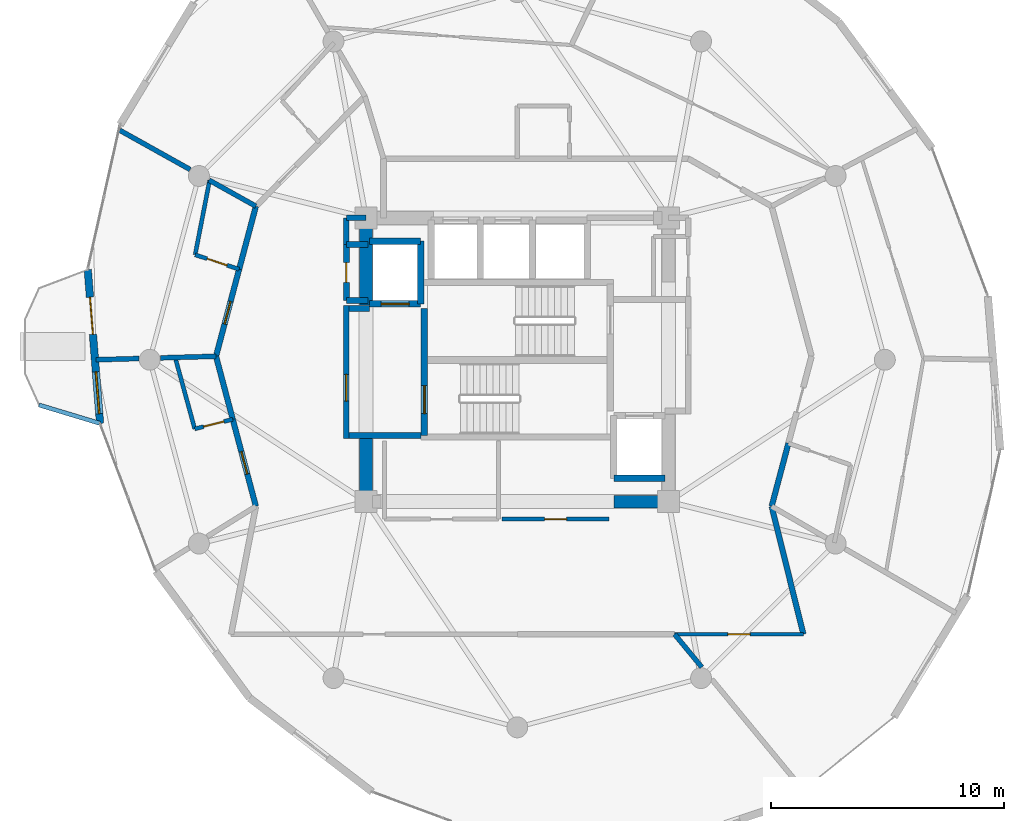
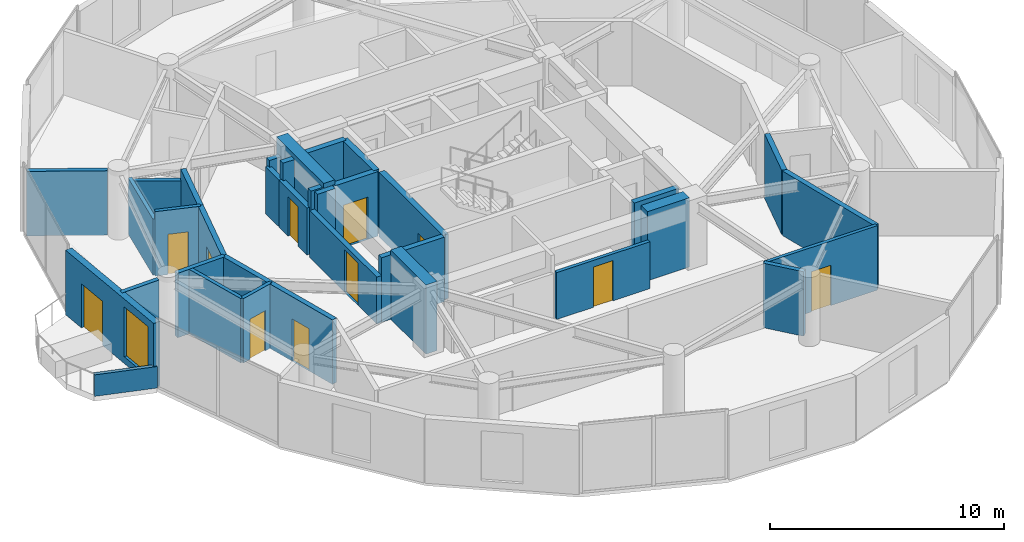
# One storey, part 16 of 20: 35 walls, 11 doors, 1 window, 12 openings.
"""IFC4 building model written with IfcOpenShell, lengths in metres."""

from ifc_helpers import new_model, si_unit, direction, frame, frame_2d, origin, place, context, subcontext, project, spatial, rectangle, extrude, material, layer, layer_set, type_object, element, fill, save


model = new_model("IFC4")

# Units and contexts
model_context = context("Model", 3, precision=1e-05, world=origin(), true_north=direction((0.0, 1.0)))
body_context = subcontext(model_context, "Body", "Model", "MODEL_VIEW")
ifc_project = project(units=[si_unit("LENGTHUNIT", "METRE"), si_unit("AREAUNIT", "SQUARE_METRE"), si_unit("VOLUMEUNIT", "CUBIC_METRE"), si_unit("PLANEANGLEUNIT", "RADIAN"), si_unit("MASSUNIT", "GRAM", prefix="KILO")], contexts=[model_context])

# Site, building, storey
site_placement = place(None, origin())
site = spatial("IfcSite", under=ifc_project, at=site_placement, CompositionType="ELEMENT")
building_placement = place(site_placement, origin())
building = spatial("IfcBuilding", under=site, at=building_placement, Name="Solvirekh Grand Hotel", CompositionType="ELEMENT")
storey_placement = place(building_placement, frame((0.0, 0.0, 194.800048828125)))
storey = spatial("IfcBuildingStorey", under=building, at=storey_placement, Name="L50", CompositionType="ELEMENT", Elevation=194.800048828125)

# Wall, opening, door
ifc_material_1 = material(Name="Concrete C40/50", Category="concrete")
ifc_layer_1 = layer(ifc_material_1, 0.280029296875)
ifc_layer_set_1 = layer_set([ifc_layer_1], Name="Concrete C40/50")
wall_type_1 = type_object("IfcWallType", Name="CoreShaftWall_RC280", PredefinedType="SOLIDWALL", material=ifc_layer_set_1)
wall_1_placement = place(storey_placement, frame((-6.35009765625, 2.39990234375, 0.0), z_axis=(0.0, 0.0, 1.0), x_axis=(1.0, 0.0, 0.0)))
wall_1 = element("IfcWall", 1, at=wall_1_placement, inside=storey, type_object=wall_type_1, Name="L50 FL-1 hoistway S wall", PredefinedType="SOLIDWALL", context=body_context, shape_type="SweptSolid", body=[
    extrude(rectangle(XDim=2.2001953125, YDim=0.280029296875, at=frame_2d((1.10009765625, 0.0))), origin(), (0.0, 0.0, 1.0), 3.35986328125),
])
opening_1_placement = place(wall_1_placement, frame((0.5, 0.0, 0.0)))
opening_1 = element("IfcOpeningElement", 2, at=opening_1_placement, cuts=wall_1, Name="Opening LD02", PredefinedType="OPENING", context=body_context, shape_type="SweptSolid", body=[
    extrude(rectangle(XDim=1.199951171875, YDim=2.199951171875, at=frame_2d((0.60009765625, 1.10009765625))), frame((0.0, 0.14990234375, 0.0), z_axis=(0.0, -1.0, 0.0), x_axis=(1.0, 0.0, 0.0)), (0.0, 0.0, 1.0), 0.300048828125),
])
ifc_material_2 = material(Name="Fire-Rated Steel Door Assembly", Category="steel")
door_type_1 = type_object("IfcDoorType", Name="Door_LiftFF_1200X2200", OperationType="SLIDING_TO_LEFT", PredefinedType="DOOR", material=ifc_material_2)
door_1_placement = place(opening_1_placement, origin())
door_1 = element("IfcDoor", 3, at=door_1_placement, inside=storey, type_object=door_type_1, Name="L50 FL-1 sliding lift landing door", OperationType="SLIDING_TO_LEFT", OverallHeight=2.199951171875, OverallWidth=1.199951171875, PredefinedType="DOOR", context=body_context, shape_type="SweptSolid", body=[
    extrude(rectangle(XDim=1.199951171875, YDim=2.199951171875, at=frame_2d((0.60009765625, 1.10009765625))), frame((0.0, 0.02490234375, 0.0), z_axis=(0.0, -1.0, 0.0), x_axis=(1.0, 0.0, 0.0)), (0.0, 0.0, 1.0), 0.050048828125),
])
fill(opening_1, door_1)

# Walls
wall_2_placement = place(storey_placement, frame((-4.14990234375, 5.10009765625, 0.0), z_axis=(0.0, 0.0, 1.0), x_axis=(-1.0, 0.0, 0.0)))
element("IfcWall", 4, at=wall_2_placement, inside=storey, type_object=wall_type_1, Name="L50 FL-1 hoistway N wall", PredefinedType="SOLIDWALL", context=body_context, shape_type="SweptSolid", body=[
    extrude(rectangle(XDim=2.2001953125, YDim=0.280029296875, at=frame_2d((1.10009765625, 0.0))), origin(), (0.0, 0.0, 1.0), 3.35986328125),
])
wall_3_placement = place(storey_placement, frame((-4.14990234375, 2.39990234375, 0.0), z_axis=(0.0, 0.0, 1.0), x_axis=(0.0, 1.0, 0.0)))
element("IfcWall", 5, at=wall_3_placement, inside=storey, type_object=wall_type_1, Name="L50 FL-1 hoistway E wall", PredefinedType="SOLIDWALL", context=body_context, shape_type="SweptSolid", body=[
    extrude(rectangle(XDim=2.7001953125, YDim=0.280029296875, at=frame_2d((1.35009765625, 0.0))), origin(), (0.0, 0.0, 1.0), 3.35986328125),
])
wall_4_placement = place(storey_placement, frame((4.14990234375, -5.10009765625, 0.0), z_axis=(0.0, 0.0, 1.0), x_axis=(1.0, 0.0, 0.0)))
element("IfcWall", 6, at=wall_4_placement, inside=storey, type_object=wall_type_1, Name="L50 FL-2 hoistway S wall", PredefinedType="SOLIDWALL", context=body_context, shape_type="SweptSolid", body=[
    extrude(rectangle(XDim=2.2001953125, YDim=0.280029296875, at=frame_2d((1.10009765625, 0.0))), origin(), (0.0, 0.0, 1.0), 3.35986328125),
])

# Wall, opening, door
wall_5_placement = place(storey_placement, frame((-3.989990234375, -3.25, 0.0), z_axis=(0.0, 0.0, 1.0), x_axis=(0.0, 1.0, 0.0)))
wall_5 = element("IfcWall", 7, at=wall_5_placement, inside=storey, type_object=wall_type_1, Name="L50 west stair landing enclosure wall", PredefinedType="SOLIDWALL", context=body_context, shape_type="SweptSolid", body=[
    extrude(rectangle(XDim=5.4599609375, YDim=0.280029296875, at=frame_2d((2.72998046875, 0.0))), origin(), (0.0, 0.0, 1.0), 3.35986328125),
])
opening_2_placement = place(wall_5_placement, frame((0.93701171875, 0.0, 0.0)))
opening_2 = element("IfcOpeningElement", 8, at=opening_2_placement, cuts=wall_5, Name="Opening D05", PredefinedType="OPENING", context=body_context, shape_type="SweptSolid", body=[
    extrude(rectangle(XDim=1.199951171875, YDim=2.199951171875, at=frame_2d((0.60009765625, 1.10009765625))), frame((0.0, 0.14990234375, 0.0), z_axis=(0.0, -1.0, 0.0), x_axis=(1.0, 0.0, 0.0)), (0.0, 0.0, 1.0), 0.300048828125),
])
door_type_2 = type_object("IfcDoorType", Name="Door_StairCore_1200X2200", OperationType="NOTDEFINED", PredefinedType="DOOR", material=ifc_material_2)
door_2_placement = place(opening_2_placement, origin())
door_2 = element("IfcDoor", 9, at=door_2_placement, inside=storey, type_object=door_type_2, Name="L50 exit stair ST-1 fire door", OperationType="SINGLE_SWING_RIGHT", OverallHeight=2.199951171875, OverallWidth=1.199951171875, PredefinedType="DOOR", context=body_context, shape_type="SweptSolid", body=[
    extrude(rectangle(XDim=1.199951171875, YDim=2.199951171875, at=frame_2d((0.60009765625, 1.10009765625))), frame((0.0, 0.02490234375, 0.0), z_axis=(0.0, -1.0, 0.0), x_axis=(1.0, 0.0, 0.0)), (0.0, 0.0, 1.0), 0.050048828125),
])
fill(opening_2, door_2)

# Walls
ifc_material_3 = material(Name="Concrete C50/60", Category="concrete")
ifc_layer_2 = layer(ifc_material_3, 0.550048828125)
ifc_layer_set_2 = layer_set([ifc_layer_2], Name="Concrete C50/60")
wall_type_2 = type_object("IfcWallType", Name="CoreWall_RC550", PredefinedType="SHEAR", material=ifc_layer_set_2)
wall_6_placement = place(storey_placement, frame((4.14990234375, -6.10009765625, 0.0), z_axis=(0.0, 0.0, 1.0), x_axis=(1.0, 0.0, 0.0)))
element("IfcWall", 10, at=wall_6_placement, inside=storey, type_object=wall_type_2, Name="L50 core corner shear wall SE-S", PredefinedType="SHEAR", context=body_context, shape_type="SweptSolid", body=[
    extrude(rectangle(XDim=2.0751953125, YDim=0.550048828125, at=frame_2d((1.03759765625, 0.0))), origin(), (0.0, 0.0, 1.0), 3.599853515625),
])
wall_7_placement = place(storey_placement, frame((-6.5, 2.35009765625, 0.0), z_axis=(0.0, 0.0, 1.0), x_axis=(0.0, 1.0, 0.0)))
element("IfcWall", 11, at=wall_7_placement, inside=storey, type_object=wall_type_2, Name="L50 core corner shear wall WN-W", PredefinedType="SHEAR", context=body_context, shape_type="SweptSolid", body=[
    extrude(rectangle(XDim=4.02490234375, YDim=0.550048828125, at=frame_2d((2.012451171875, 0.0))), origin(), (0.0, 0.0, 1.0), 3.599853515625),
])
wall_8_placement = place(storey_placement, frame((-6.5, -6.375, 0.0), z_axis=(0.0, 0.0, 1.0), x_axis=(0.0, 1.0, 0.0)))
element("IfcWall", 12, at=wall_8_placement, inside=storey, type_object=wall_type_2, Name="L50 core corner shear wall WS-W", PredefinedType="SHEAR", context=body_context, shape_type="SweptSolid", body=[
    extrude(rectangle(XDim=3.02490234375, YDim=0.550048828125, at=frame_2d((1.512451171875, 0.0))), origin(), (0.0, 0.0, 1.0), 3.599853515625),
])

# Wall, openings, door, window
ifc_material_4 = material(Name="Precast concrete C45/55", Category="concrete")
ifc_layer_3 = layer(ifc_material_4, 0.320068359375)
ifc_layer_set_3 = layer_set([ifc_layer_3], Name="Precast concrete C45/55")
wall_type_3 = type_object("IfcWallType", Name="ExtLobbyWall_RC320", PredefinedType="SOLIDWALL", material=ifc_layer_set_3)
wall_9_placement = place(storey_placement, frame((-17.93408203125, -2.736083984375, 0.0), z_axis=(0.0, 0.0, 1.0), x_axis=(-0.079675045139, 0.996820890222, 0.0)))
wall_9 = element("IfcWall", 13, at=wall_9_placement, inside=storey, type_object=wall_type_3, Name="L50 exterior structural wall chord 14", PredefinedType="SOLIDWALL", context=body_context, shape_type="SweptSolid", body=[
    extrude(rectangle(XDim=6.636962890625, YDim=0.320068359375, at=frame_2d((3.318359375, 0.0))), origin(), (0.0, 0.0, 1.0), 3.35986328125),
])
opening_3_placement = place(wall_9_placement, frame((0.4208984375, 0.0, 0.35009765625)))
opening_3 = element("IfcOpeningElement", 14, at=opening_3_placement, cuts=wall_9, Name="Opening W02", PredefinedType="OPENING", context=body_context, shape_type="SweptSolid", body=[
    extrude(rectangle(XDim=1.800048828125, YDim=2.60009765625, at=frame_2d((0.89990234375, 1.300048828125))), frame((0.0, 0.169921875, 0.0), z_axis=(0.0, -1.0, 0.0), x_axis=(1.0, 0.0, 0.0)), (0.0, 0.0, 1.0), 0.340087890625),
])
opening_4_placement = place(wall_9_placement, frame((3.839111328125, 0.0, 0.0)))
opening_4 = element("IfcOpeningElement", 15, at=opening_4_placement, cuts=wall_9, Name="Opening D04", PredefinedType="OPENING", context=body_context, shape_type="SweptSolid", body=[
    extrude(rectangle(XDim=1.60009765625, YDim=2.300048828125, at=frame_2d((0.800048828125, 1.14990234375))), frame((0.0, 0.169921875, 0.0), z_axis=(0.0, -1.0, 0.0), x_axis=(1.0, 0.0, 0.0)), (0.0, 0.0, 1.0), 0.340087890625),
])
ifc_material_5 = material(Name="Anodized Bronze Aluminium 6063-T6", Category="aluminium")
door_type_3 = type_object("IfcDoorType", Name="Door_ExtTerrace_1600X2300", OperationType="NOTDEFINED", PredefinedType="DOOR", material=ifc_material_5)
door_3_placement = place(opening_4_placement, origin())
door_3 = element("IfcDoor", 16, at=door_3_placement, inside=storey, type_object=door_type_3, Name="L50 West horn sky-garden terrace door (14)", OperationType="SINGLE_SWING_RIGHT", OverallHeight=2.300048828125, OverallWidth=1.60009765625, PredefinedType="DOOR", context=body_context, shape_type="SweptSolid", body=[
    extrude(rectangle(XDim=1.60009765625, YDim=2.300048828125, at=frame_2d((0.800048828125, 1.14990234375))), frame((0.0, 0.02490234375, 0.0), z_axis=(0.0, -1.0, 0.0), x_axis=(1.0, 0.0, 0.0)), (0.0, 0.0, 1.0), 0.050048828125),
])
fill(opening_4, door_3)
ifc_material_6 = material(Name="Low-E Tinted Bronze Laminated Glass", Category="aluminium")
window_type = type_object("IfcWindowType", Name="Win_LobbyExt_1800X2600", PartitioningType="SINGLE_PANEL", PredefinedType="WINDOW", material=ifc_material_6)
window_placement = place(opening_3_placement, origin())
window = element("IfcWindow", 17, at=window_placement, inside=storey, type_object=window_type, Name="L50 exterior side window 14", OverallHeight=2.60009765625, OverallWidth=1.800048828125, PartitioningType="SINGLE_PANEL", PredefinedType="WINDOW", context=body_context, shape_type="SweptSolid", body=[
    extrude(rectangle(XDim=1.800048828125, YDim=2.60009765625, at=frame_2d((0.89990234375, 1.300048828125))), frame((0.0, 0.030029296875, 0.0), z_axis=(0.0, -1.0, 0.0), x_axis=(1.0, 0.0, 0.0)), (0.0, 0.0, 1.0), 0.06005859375),
])
fill(opening_3, window)

# Wall
ifc_layer_4 = layer(ifc_material_4, 0.179931640625)
ifc_layer_set_4 = layer_set([ifc_layer_4], Name="Precast concrete C45/55")
wall_type_4 = type_object("IfcWallType", Name="ExtPlanterWall_180", PredefinedType="PARAPET", material=ifc_layer_set_4)
wall_10_placement = place(storey_placement, frame((-20.56298828125, -1.94189453125, 0.0), z_axis=(0.0, 0.0, 1.0), x_axis=(0.957271539456, -0.289190594154, 0.0)))
element("IfcWall", 18, at=wall_10_placement, inside=storey, type_object=wall_type_4, Name="L50 horn sky-garden planter parapet", PredefinedType="PARAPET", context=body_context, shape_type="SweptSolid", body=[
    extrude(rectangle(XDim=2.746337890625, YDim=0.179931640625, at=frame_2d((1.373046875, 0.0))), origin(), (0.0, 0.0, 1.0), 1.119873046875),
])

# Wall, opening, door
ifc_material_7 = material(Name="Acoustic Gypsum Partition Assembly")
ifc_layer_5 = layer(ifc_material_7, 0.1650390625)
ifc_layer_set_5 = layer_set([ifc_layer_5], Name="Acoustic Gypsum Partition Assembly")
wall_type_5 = type_object("IfcWallType", Name="Part_BOH_165", PredefinedType="PARTITIONING", material=ifc_layer_set_5)
wall_11_placement = place(storey_placement, frame((-0.64990234375, -6.85009765625, 0.0), z_axis=(0.0, 0.0, 1.0), x_axis=(1.0, 0.0, 0.0)))
wall_11 = element("IfcWall", 19, at=wall_11_placement, inside=storey, type_object=wall_type_5, Name="L50 Butler Valet Steward Room wall 1", PredefinedType="PARTITIONING", context=body_context, shape_type="SweptSolid", body=[
    extrude(rectangle(XDim=4.599853515625, YDim=0.1650390625, at=frame_2d((2.2998046875, 0.0))), origin(), (0.0, 0.0, 1.0), 2.445068359375),
])
opening_5_placement = place(wall_11_placement, frame((1.824951171875, 0.0, 0.0)))
opening_5 = element("IfcOpeningElement", 20, at=opening_5_placement, cuts=wall_11, Name="Opening D10", PredefinedType="OPENING", context=body_context, shape_type="SweptSolid", body=[
    extrude(rectangle(XDim=0.949951171875, YDim=2.10009765625, at=frame_2d((0.47509765625, 1.050048828125))), frame((0.0, 0.092529296875, 0.0), z_axis=(0.0, -1.0, 0.0), x_axis=(1.0, 0.0, 0.0)), (0.0, 0.0, 1.0), 0.18505859375),
])
door_type_4 = type_object("IfcDoorType", Name="Door_RoomInt_950X2100", OperationType="NOTDEFINED", PredefinedType="DOOR", material=ifc_material_5)
door_4_placement = place(opening_5_placement, origin())
door_4 = element("IfcDoor", 21, at=door_4_placement, inside=storey, type_object=door_type_4, Name="L50 Butler Valet Steward Room door", OperationType="SINGLE_SWING_LEFT", OverallHeight=2.10009765625, OverallWidth=0.949951171875, PredefinedType="DOOR", context=body_context, shape_type="SweptSolid", body=[
    extrude(rectangle(XDim=0.949951171875, YDim=2.10009765625, at=frame_2d((0.47509765625, 1.050048828125))), frame((0.0, 0.02490234375, 0.0), z_axis=(0.0, -1.0, 0.0), x_axis=(1.0, 0.0, 0.0)), (0.0, 0.0, 1.0), 0.050048828125),
])
fill(opening_5, door_4)

wall_12_placement = place(storey_placement, frame((6.764892578125, -11.800048828125, 0.0), z_axis=(0.0, 0.0, 1.0), x_axis=(1.0, 0.0, 0.0)))
wall_12 = element("IfcWall", 22, at=wall_12_placement, inside=storey, type_object=wall_type_5, Name="L50 L50 Butler Valet & Linen Steward Room entrance wall", PredefinedType="PARTITIONING", context=body_context, shape_type="SweptSolid", body=[
    extrude(rectangle(XDim=5.53515625, YDim=0.1650390625, at=frame_2d((2.767578125, 0.0))), origin(), (0.0, 0.0, 1.0), 3.35986328125),
])
opening_6_placement = place(wall_12_placement, frame((2.29296875, 0.0, 0.0)))
opening_6 = element("IfcOpeningElement", 23, at=opening_6_placement, cuts=wall_12, Name="Opening D10", PredefinedType="OPENING", context=body_context, shape_type="SweptSolid", body=[
    extrude(rectangle(XDim=0.949951171875, YDim=2.10009765625, at=frame_2d((0.47509765625, 1.050048828125))), frame((0.0, 0.092529296875, 0.0), z_axis=(0.0, -1.0, 0.0), x_axis=(1.0, 0.0, 0.0)), (0.0, 0.0, 1.0), 0.18505859375),
])
door_5_placement = place(opening_6_placement, origin())
door_5 = element("IfcDoor", 24, at=door_5_placement, inside=storey, type_object=door_type_4, Name="L50 L50 Butler Valet & Linen Steward Room entrance door", OperationType="SINGLE_SWING_LEFT", OverallHeight=2.10009765625, OverallWidth=0.949951171875, PredefinedType="DOOR", context=body_context, shape_type="SweptSolid", body=[
    extrude(rectangle(XDim=0.949951171875, YDim=2.10009765625, at=frame_2d((0.47509765625, 1.050048828125))), frame((0.0, 0.02490234375, 0.0), z_axis=(0.0, -1.0, 0.0), x_axis=(1.0, 0.0, 0.0)), (0.0, 0.0, 1.0), 0.050048828125),
])
fill(opening_6, door_5)

ifc_layer_6 = layer(ifc_material_7, 0.239990234375)
ifc_layer_set_6 = layer_set([ifc_layer_6], Name="Acoustic Gypsum Partition Assembly")
wall_type_6 = type_object("IfcWallType", Name="Part_Corridor_240", PredefinedType="PARTITIONING", material=ifc_layer_set_6)
wall_13_placement = place(storey_placement, frame((-7.35009765625, -3.3798828125, 0.0), z_axis=(0.0, 0.0, 1.0), x_axis=(0.0, 1.0, 0.0)))
wall_13 = element("IfcWall", 25, at=wall_13_placement, inside=storey, type_object=wall_type_6, Name="L50 west firefighting lobby smoke screen wall", PredefinedType="PARTITIONING", context=body_context, shape_type="SweptSolid", body=[
    extrude(rectangle(XDim=5.719970703125, YDim=0.239990234375, at=frame_2d((2.85986328125, 0.0))), origin(), (0.0, 0.0, 1.0), 2.445068359375),
])
opening_7_placement = place(wall_13_placement, frame((1.59912109375, 0.0, 0.0)))
opening_7 = element("IfcOpeningElement", 26, at=opening_7_placement, cuts=wall_13, Name="Opening D06", PredefinedType="OPENING", context=body_context, shape_type="SweptSolid", body=[
    extrude(rectangle(XDim=1.14990234375, YDim=2.199951171875, at=frame_2d((0.574951171875, 1.10009765625))), frame((0.0, 0.1298828125, 0.0), z_axis=(0.0, -1.0, 0.0), x_axis=(1.0, 0.0, 0.0)), (0.0, 0.0, 1.0), 0.260009765625),
])
door_type_5 = type_object("IfcDoorType", Name="Door_FFLobby_1150X2200", OperationType="NOTDEFINED", PredefinedType="DOOR", material=ifc_material_2)
door_6_placement = place(opening_7_placement, origin())
door_6 = element("IfcDoor", 27, at=door_6_placement, inside=storey, type_object=door_type_5, Name="L50 west firefighting lobby smoke door", OperationType="SINGLE_SWING_RIGHT", OverallHeight=2.199951171875, OverallWidth=1.14990234375, PredefinedType="DOOR", context=body_context, shape_type="SweptSolid", body=[
    extrude(rectangle(XDim=1.14990234375, YDim=2.199951171875, at=frame_2d((0.574951171875, 1.10009765625))), frame((0.0, 0.02490234375, 0.0), z_axis=(0.0, -1.0, 0.0), x_axis=(1.0, 0.0, 0.0)), (0.0, 0.0, 1.0), 0.050048828125),
])
fill(opening_7, door_6)

# Walls
wall_14_placement = place(storey_placement, frame((-7.35009765625, 4.949951171875, 0.0), z_axis=(0.0, 0.0, 1.0), x_axis=(0.0, 1.0, 0.0)))
element("IfcWall", 28, at=wall_14_placement, inside=storey, type_object=wall_type_6, Name="L50 NW core cheek closure wall", PredefinedType="PARTITIONING", context=body_context, shape_type="SweptSolid", body=[
    extrude(rectangle(XDim=1.150146484375, YDim=0.239990234375, at=frame_2d((0.5751953125, 0.0))), origin(), (0.0, 0.0, 1.0), 2.445068359375),
])
wall_15_placement = place(storey_placement, frame((-7.35009765625, 6.10009765625, 0.0), z_axis=(0.0, 0.0, 1.0), x_axis=(1.0, 0.0, 0.0)))
element("IfcWall", 29, at=wall_15_placement, inside=storey, type_object=wall_type_6, Name="L50 NW core corner tie wall", PredefinedType="PARTITIONING", context=body_context, shape_type="SweptSolid", body=[
    extrude(rectangle(XDim=0.85009765625, YDim=0.239990234375, at=frame_2d((0.425048828125, 0.0))), origin(), (0.0, 0.0, 1.0), 2.801025390625),
])
wall_16_placement = place(storey_placement, frame((-11.235107421875, 6.60009765625, 0.0), z_axis=(0.0, 0.0, 1.0), x_axis=(-0.25685481711, -0.966450000221, 0.0)))
element("IfcWall", 30, at=wall_16_placement, inside=storey, type_object=wall_type_6, Name="L50 En-suite Bathroom 5203 corridor backing wall", PredefinedType="PARTITIONING", context=body_context, shape_type="SweptSolid", body=[
    extrude(rectangle(XDim=2.802978515625, YDim=0.239990234375, at=frame_2d((1.4013671875, 0.0))), origin(), (0.0, 0.0, 1.0), 3.35986328125),
])

# Wall, opening, door
wall_17_placement = place(storey_placement, frame((-11.955078125, 3.89111328125, 0.0), z_axis=(0.0, 0.0, 1.0), x_axis=(-0.256991373998, -0.96641369697, 0.0)))
wall_17 = element("IfcWall", 31, at=wall_17_placement, inside=storey, type_object=wall_type_6, Name="L50 Deluxe Guestroom 5203 entrance wall", PredefinedType="PARTITIONING", context=body_context, shape_type="SweptSolid", body=[
    extrude(rectangle(XDim=3.871337890625, YDim=0.239990234375, at=frame_2d((1.935546875, 0.0))), origin(), (0.0, 0.0, 1.0), 3.35986328125),
])
opening_8_placement = place(wall_17_placement, frame((1.43603515625, 0.0, 0.0)))
opening_8 = element("IfcOpeningElement", 32, at=opening_8_placement, cuts=wall_17, Name="Opening D07", PredefinedType="OPENING", context=body_context, shape_type="SweptSolid", body=[
    extrude(rectangle(XDim=1.0, YDim=2.199951171875, at=frame_2d((0.5, 1.10009765625))), frame((0.0, 0.1298828125, 0.0), z_axis=(0.0, -1.0, 0.0), x_axis=(1.0, 0.0, 0.0)), (0.0, 0.0, 1.0), 0.260009765625),
])
door_type_6 = type_object("IfcDoorType", Name="Door_GuestEntry_1000X2200", OperationType="NOTDEFINED", PredefinedType="DOOR", material=ifc_material_2)
door_7_placement = place(opening_8_placement, origin())
door_7 = element("IfcDoor", 33, at=door_7_placement, inside=storey, type_object=door_type_6, Name="L50 Deluxe Guestroom 5203 entrance door", OperationType="SINGLE_SWING_LEFT", OverallHeight=2.199951171875, OverallWidth=1.0, PredefinedType="DOOR", context=body_context, shape_type="SweptSolid", body=[
    extrude(rectangle(XDim=1.0, YDim=2.199951171875, at=frame_2d((0.5, 1.10009765625))), frame((0.0, 0.02490234375, 0.0), z_axis=(0.0, -1.0, 0.0), x_axis=(1.0, 0.0, 0.0)), (0.0, 0.0, 1.0), 0.050048828125),
])
fill(opening_8, door_7)

# Wall
wall_18_placement = place(storey_placement, frame((-12.949951171875, 0.14990234375, 0.0), z_axis=(0.0, 0.0, 1.0), x_axis=(0.25685481711, -0.966450000221, 0.0)))
element("IfcWall", 34, at=wall_18_placement, inside=storey, type_object=wall_type_6, Name="L50 En-suite Bathroom 5204 corridor backing wall", PredefinedType="PARTITIONING", context=body_context, shape_type="SweptSolid", body=[
    extrude(rectangle(XDim=2.802978515625, YDim=0.239990234375, at=frame_2d((1.4013671875, 0.0))), origin(), (0.0, 0.0, 1.0), 3.35986328125),
])

# Wall, opening, door
wall_19_placement = place(storey_placement, frame((-12.22998046875, -2.55908203125, 0.0), z_axis=(0.0, 0.0, 1.0), x_axis=(0.257007037833, -0.966409531464, 0.0)))
wall_19 = element("IfcWall", 35, at=wall_19_placement, inside=storey, type_object=wall_type_6, Name="L50 Deluxe Guestroom 5204 entrance wall", PredefinedType="PARTITIONING", context=body_context, shape_type="SweptSolid", body=[
    extrude(rectangle(XDim=3.87109375, YDim=0.239990234375, at=frame_2d((1.935546875, 0.0))), origin(), (0.0, 0.0, 1.0), 3.35986328125),
])
opening_9_placement = place(wall_19_placement, frame((1.43603515625, 0.0, 0.0)))
opening_9 = element("IfcOpeningElement", 36, at=opening_9_placement, cuts=wall_19, Name="Opening D07", PredefinedType="OPENING", context=body_context, shape_type="SweptSolid", body=[
    extrude(rectangle(XDim=1.0, YDim=2.199951171875, at=frame_2d((0.5, 1.10009765625))), frame((0.0, 0.1298828125, 0.0), z_axis=(0.0, -1.0, 0.0), x_axis=(1.0, 0.0, 0.0)), (0.0, 0.0, 1.0), 0.260009765625),
])
door_8_placement = place(opening_9_placement, origin())
door_8 = element("IfcDoor", 37, at=door_8_placement, inside=storey, type_object=door_type_6, Name="L50 Deluxe Guestroom 5204 entrance door", OperationType="SINGLE_SWING_LEFT", OverallHeight=2.199951171875, OverallWidth=1.0, PredefinedType="DOOR", context=body_context, shape_type="SweptSolid", body=[
    extrude(rectangle(XDim=1.0, YDim=2.199951171875, at=frame_2d((0.5, 1.10009765625))), frame((0.0, 0.02490234375, 0.0), z_axis=(0.0, -1.0, 0.0), x_axis=(1.0, 0.0, 0.0)), (0.0, 0.0, 1.0), 0.050048828125),
])
fill(opening_9, door_8)

# Walls
wall_20_placement = place(storey_placement, frame((10.93505859375, -6.300048828125, 0.0), z_axis=(0.0, 0.0, 1.0), x_axis=(0.25685481711, 0.966450000221, 0.0)))
element("IfcWall", 38, at=wall_20_placement, inside=storey, type_object=wall_type_6, Name="L50 En-suite Bathroom 5205 corridor backing wall", PredefinedType="PARTITIONING", context=body_context, shape_type="SweptSolid", body=[
    extrude(rectangle(XDim=2.802978515625, YDim=0.239990234375, at=frame_2d((1.4013671875, 0.0))), origin(), (0.0, 0.0, 1.0), 3.35986328125),
])
wall_21_placement = place(storey_placement, frame((12.300048828125, -11.800048828125, 0.0), z_axis=(0.0, 0.0, 1.0), x_axis=(-0.240872801332, 0.970556692614, 0.0)))
element("IfcWall", 39, at=wall_21_placement, inside=storey, type_object=wall_type_6, Name="L50 L50 Butler Valet & Linen Steward Room corridor wall 1", PredefinedType="PARTITIONING", context=body_context, shape_type="SweptSolid", body=[
    extrude(rectangle(XDim=5.666748046875, YDim=0.239990234375, at=frame_2d((2.83349609375, 0.0))), origin(), (0.0, 0.0, 1.0), 3.35986328125),
])
ifc_layer_7 = layer(ifc_material_7, 0.260009765625)
ifc_layer_set_7 = layer_set([ifc_layer_7], Name="Acoustic Gypsum Partition Assembly")
wall_type_7 = type_object("IfcWallType", Name="Part_LobbyFF_260", PredefinedType="PARTITIONING", material=ifc_layer_set_7)
wall_22_placement = place(storey_placement, frame((-7.22509765625, -3.25, 0.0), z_axis=(0.0, 0.0, 1.0), x_axis=(1.0, 0.0, 0.0)))
element("IfcWall", 40, at=wall_22_placement, inside=storey, type_object=wall_type_7, Name="L50 west firefighting lobby south partition", PredefinedType="PARTITIONING", context=body_context, shape_type="SweptSolid", body=[
    extrude(rectangle(XDim=3.09521484375, YDim=0.260009765625, at=frame_2d((1.547607421875, 0.0))), origin(), (0.0, 0.0, 1.0), 3.35986328125),
])
wall_23_placement = place(storey_placement, frame((-7.22509765625, 2.2099609375, 0.0), z_axis=(0.0, 0.0, 1.0), x_axis=(1.0, 0.0, 0.0)))
element("IfcWall", 41, at=wall_23_placement, inside=storey, type_object=wall_type_7, Name="L50 west firefighting lobby NW cheek", PredefinedType="PARTITIONING", context=body_context, shape_type="SweptSolid", body=[
    extrude(rectangle(XDim=0.875, YDim=0.260009765625, at=frame_2d((0.4375, 0.0))), origin(), (0.0, 0.0, 1.0), 3.35986328125),
])
for number, where, z_axis, x_axis, name in (
    (42, (-7.35009765625, 4.949951171875, 0.0), (0.0, 0.0, 1.0), (1.0, 0.0, 0.0), "L50 NW telecom metering cupboard north wall"),
    (43, (-7.35009765625, 2.550048828125, 0.0), (0.0, 0.0, 1.0), (1.0, 0.0, 0.0), "L50 NW telecom metering cupboard south wall"),
):
    element("IfcWall", number, at=place(storey_placement, frame(where, z_axis=z_axis, x_axis=x_axis)), inside=storey, type_object=wall_type_7, Name=name, PredefinedType="PARTITIONING", context=body_context, shape_type="SweptSolid", body=[
        extrude(rectangle(XDim=0.93017578125, YDim=0.260009765625, at=frame_2d((0.465087890625, 0.0))), origin(), (0.0, 0.0, 1.0), 3.35986328125),
    ])

# Wall, opening, door
wall_24_placement = place(storey_placement, frame((-7.35009765625, 2.550048828125, 0.0), z_axis=(0.0, 0.0, 1.0), x_axis=(0.0, 1.0, 0.0)))
wall_24 = element("IfcWall", 44, at=wall_24_placement, inside=storey, type_object=wall_type_7, Name="L50 NW telecom metering cupboard access wall", PredefinedType="PARTITIONING", context=body_context, shape_type="SweptSolid", body=[
    extrude(rectangle(XDim=2.39990234375, YDim=0.260009765625, at=frame_2d((1.199951171875, 0.0))), origin(), (0.0, 0.0, 1.0), 2.445068359375),
])
opening_10_placement = place(wall_24_placement, frame((0.77490234375, 0.0, 0.0)))
opening_10 = element("IfcOpeningElement", 45, at=opening_10_placement, cuts=wall_24, Name="Opening D13", PredefinedType="OPENING", context=body_context, shape_type="SweptSolid", body=[
    extrude(rectangle(XDim=0.85009765625, YDim=2.050048828125, at=frame_2d((0.425048828125, 1.02490234375))), frame((0.0, 0.14013671875, 0.0), z_axis=(0.0, -1.0, 0.0), x_axis=(1.0, 0.0, 0.0)), (0.0, 0.0, 1.0), 0.280029296875),
])
door_type_7 = type_object("IfcDoorType", Name="Door_RiserShaft_850X2050", OperationType="NOTDEFINED", PredefinedType="DOOR", material=ifc_material_2)
door_9_placement = place(opening_10_placement, origin())
door_9 = element("IfcDoor", 46, at=door_9_placement, inside=storey, type_object=door_type_7, Name="L50 telecom metering cupboard access door", OperationType="SINGLE_SWING_RIGHT", OverallHeight=2.050048828125, OverallWidth=0.85009765625, PredefinedType="DOOR", context=body_context, shape_type="SweptSolid", body=[
    extrude(rectangle(XDim=0.85009765625, YDim=2.050048828125, at=frame_2d((0.425048828125, 1.02490234375))), frame((0.0, 0.02490234375, 0.0), z_axis=(0.0, -1.0, 0.0), x_axis=(1.0, 0.0, 0.0)), (0.0, 0.0, 1.0), 0.050048828125),
])
fill(opening_10, door_9)

# Walls
ifc_layer_8 = layer(ifc_material_7, 0.2099609375)
ifc_layer_set_8 = layer_set([ifc_layer_8], Name="Acoustic Gypsum Partition Assembly")
wall_type_8 = type_object("IfcWallType", Name="Part_SuiteDemise_210", PredefinedType="PARTITIONING", material=ifc_layer_set_8)
wall_25_placement = place(storey_placement, frame((-11.235107421875, 6.60009765625, 0.0), z_axis=(0.0, 0.0, 1.0), x_axis=(-0.873326612339, 0.487135123123, 0.0)))
element("IfcWall", 47, at=wall_25_placement, inside=storey, type_object=wall_type_8, Name="L50 suite radial wall 6 (A)", PredefinedType="PARTITIONING", context=body_context, shape_type="SweptSolid", body=[
    extrude(rectangle(XDim=2.304931640625, YDim=0.2099609375, at=frame_2d((1.15234375, 0.0))), origin(), (0.0, 0.0, 1.0), 2.801025390625),
])
wall_26_placement = place(storey_placement, frame((-14.06201171875, 8.177978515625, 0.0), z_axis=(0.0, 0.0, 1.0), x_axis=(-0.873305073503, 0.487173735533, 0.0)))
element("IfcWall", 48, at=wall_26_placement, inside=storey, type_object=wall_type_8, Name="L50 suite radial wall 6 (B)", PredefinedType="PARTITIONING", context=body_context, shape_type="SweptSolid", body=[
    extrude(rectangle(XDim=3.46484375, YDim=0.2099609375, at=frame_2d((1.732421875, 0.0))), origin(), (0.0, 0.0, 1.0), 3.35986328125),
])
wall_27_placement = place(storey_placement, frame((-12.949951171875, 0.14990234375, 0.0), z_axis=(0.0, 0.0, 1.0), x_axis=(-0.999584294169, -0.028831213149, 0.0)))
element("IfcWall", 49, at=wall_27_placement, inside=storey, type_object=wall_type_8, Name="L50 suite radial wall 7 (A)", PredefinedType="PARTITIONING", context=body_context, shape_type="SweptSolid", body=[
    extrude(rectangle(XDim=2.387939453125, YDim=0.2099609375, at=frame_2d((1.19384765625, 0.0))), origin(), (0.0, 0.0, 1.0), 3.35986328125),
])
wall_28_placement = place(storey_placement, frame((-16.26708984375, 0.053955078125, 0.0), z_axis=(0.0, 0.0, 1.0), x_axis=(-0.999573108103, -0.029216460374, 0.0)))
element("IfcWall", 50, at=wall_28_placement, inside=storey, type_object=wall_type_8, Name="L50 suite radial wall 7 (B)", PredefinedType="PARTITIONING", context=body_context, shape_type="SweptSolid", body=[
    extrude(rectangle(XDim=1.8466796875, YDim=0.2099609375, at=frame_2d((0.92333984375, 0.0))), origin(), (0.0, 0.0, 1.0), 3.35986328125),
])
wall_29_placement = place(storey_placement, frame((6.764892578125, -11.800048828125, 0.0), z_axis=(0.0, 0.0, 1.0), x_axis=(0.636509719066, -0.771268680509, 0.0)))
element("IfcWall", 51, at=wall_29_placement, inside=storey, type_object=wall_type_8, Name="L50 L50 Collector Map Lounge dividing partition 1 (A)", PredefinedType="PARTITIONING", context=body_context, shape_type="SweptSolid", body=[
    extrude(rectangle(XDim=1.83349609375, YDim=0.2099609375, at=frame_2d((0.916748046875, 0.0))), origin(), (0.0, 0.0, 1.0), 3.35986328125),
])
ifc_layer_9 = layer(ifc_material_7, 0.175048828125)
ifc_layer_set_9 = layer_set([ifc_layer_9], Name="Acoustic Gypsum Partition Assembly")
wall_type_9 = type_object("IfcWallType", Name="Plumb_Ensuite_175", PredefinedType="PLUMBINGWALL", material=ifc_layer_set_9)
wall_30_placement = place(storey_placement, frame((-13.22509765625, 7.7099609375, 0.0), z_axis=(0.0, 0.0, 1.0), x_axis=(-0.190691026057, -0.981650107004, 0.0)))
element("IfcWall", 52, at=wall_30_placement, inside=storey, type_object=wall_type_9, Name="L50 En-suite Bathroom 5203 outer plumbing wall", PredefinedType="PLUMBINGWALL", context=body_context, shape_type="SweptSolid", body=[
    extrude(rectangle(XDim=3.255859375, YDim=0.175048828125, at=frame_2d((1.6279296875, 0.0))), origin(), (0.0, 0.0, 1.0), 2.928955078125),
])

# Wall, opening, door
wall_31_placement = place(storey_placement, frame((-11.955078125, 3.89111328125, 0.0), z_axis=(0.0, 0.0, 1.0), x_axis=(-0.949805498967, 0.312841036522, 0.0)))
wall_31 = element("IfcWall", 53, at=wall_31_placement, inside=storey, type_object=wall_type_9, Name="L50 En-suite Bathroom 5203 entry plumbing wall", PredefinedType="PLUMBINGWALL", context=body_context, shape_type="SweptSolid", body=[
    extrude(rectangle(XDim=1.99072265625, YDim=0.175048828125, at=frame_2d((0.995361328125, 0.0))), origin(), (0.0, 0.0, 1.0), 3.35986328125),
])
opening_11_placement = place(wall_31_placement, frame((0.544921875, 0.0, 0.0)))
opening_11 = element("IfcOpeningElement", 54, at=opening_11_placement, cuts=wall_31, Name="Opening D09", PredefinedType="OPENING", context=body_context, shape_type="SweptSolid", body=[
    extrude(rectangle(XDim=0.89990234375, YDim=2.10009765625, at=frame_2d((0.449951171875, 1.050048828125))), frame((0.0, 0.09765625, 0.0), z_axis=(0.0, -1.0, 0.0), x_axis=(1.0, 0.0, 0.0)), (0.0, 0.0, 1.0), 0.195068359375),
])
door_type_8 = type_object("IfcDoorType", Name="Door_Ensuite_900X2100", OperationType="NOTDEFINED", PredefinedType="DOOR", material=ifc_material_5)
door_10_placement = place(opening_11_placement, origin())
door_10 = element("IfcDoor", 55, at=door_10_placement, inside=storey, type_object=door_type_8, Name="L50 En-suite Bathroom 5203 door", OperationType="SINGLE_SWING_RIGHT", OverallHeight=2.10009765625, OverallWidth=0.89990234375, PredefinedType="DOOR", context=body_context, shape_type="SweptSolid", body=[
    extrude(rectangle(XDim=0.89990234375, YDim=2.10009765625, at=frame_2d((0.449951171875, 1.050048828125))), frame((0.0, 0.02490234375, 0.0), z_axis=(0.0, -1.0, 0.0), x_axis=(1.0, 0.0, 0.0)), (0.0, 0.0, 1.0), 0.050048828125),
])
fill(opening_11, door_10)

# Wall
wall_32_placement = place(storey_placement, frame((-14.705078125, 0.09912109375, 0.0), z_axis=(0.0, 0.0, 1.0), x_axis=(0.264584095524, -0.964362616652, 0.0)))
element("IfcWall", 56, at=wall_32_placement, inside=storey, type_object=wall_type_9, Name="L50 En-suite Bathroom 5204 outer plumbing wall", PredefinedType="PLUMBINGWALL", context=body_context, shape_type="SweptSolid", body=[
    extrude(rectangle(XDim=3.1826171875, YDim=0.175048828125, at=frame_2d((1.59130859375, 0.0))), origin(), (0.0, 0.0, 1.0), 3.35986328125),
])

# Wall, opening, door
wall_33_placement = place(storey_placement, frame((-12.22998046875, -2.55908203125, 0.0), z_axis=(0.0, 0.0, 1.0), x_axis=(-0.969774675768, -0.244002209496, 0.0)))
wall_33 = element("IfcWall", 57, at=wall_33_placement, inside=storey, type_object=wall_type_9, Name="L50 En-suite Bathroom 5204 entry plumbing wall", PredefinedType="PLUMBINGWALL", context=body_context, shape_type="SweptSolid", body=[
    extrude(rectangle(XDim=1.683837890625, YDim=0.175048828125, at=frame_2d((0.841796875, 0.0))), origin(), (0.0, 0.0, 1.0), 3.35986328125),
])
opening_12_placement = place(wall_33_placement, frame((0.39208984375, 0.0, 0.0)))
opening_12 = element("IfcOpeningElement", 58, at=opening_12_placement, cuts=wall_33, Name="Opening D09", PredefinedType="OPENING", context=body_context, shape_type="SweptSolid", body=[
    extrude(rectangle(XDim=0.89990234375, YDim=2.10009765625, at=frame_2d((0.449951171875, 1.050048828125))), frame((0.0, 0.09765625, 0.0), z_axis=(0.0, -1.0, 0.0), x_axis=(1.0, 0.0, 0.0)), (0.0, 0.0, 1.0), 0.195068359375),
])
door_11_placement = place(opening_12_placement, origin())
door_11 = element("IfcDoor", 59, at=door_11_placement, inside=storey, type_object=door_type_8, Name="L50 En-suite Bathroom 5204 door", OperationType="SINGLE_SWING_RIGHT", OverallHeight=2.10009765625, OverallWidth=0.89990234375, PredefinedType="DOOR", context=body_context, shape_type="SweptSolid", body=[
    extrude(rectangle(XDim=0.89990234375, YDim=2.10009765625, at=frame_2d((0.449951171875, 1.050048828125))), frame((0.0, 0.02490234375, 0.0), z_axis=(0.0, -1.0, 0.0), x_axis=(1.0, 0.0, 0.0)), (0.0, 0.0, 1.0), 0.050048828125),
])
fill(opening_12, door_11)

save(model, "model.ifc")
